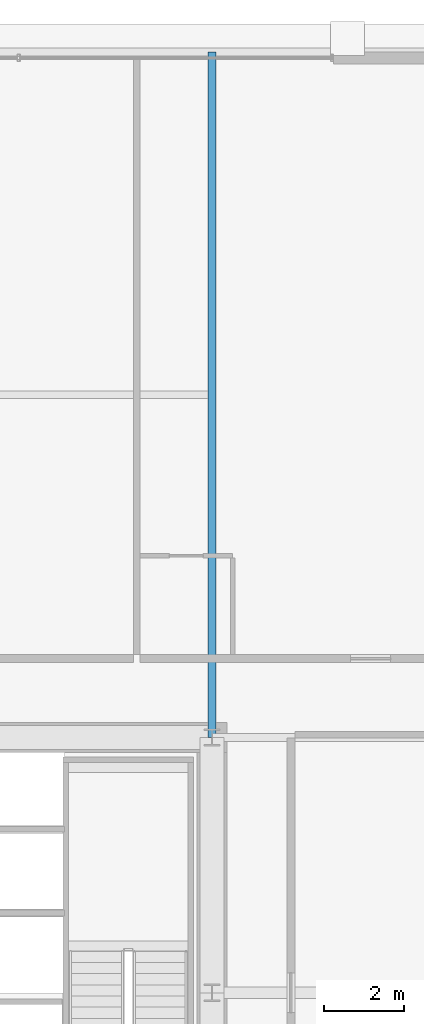
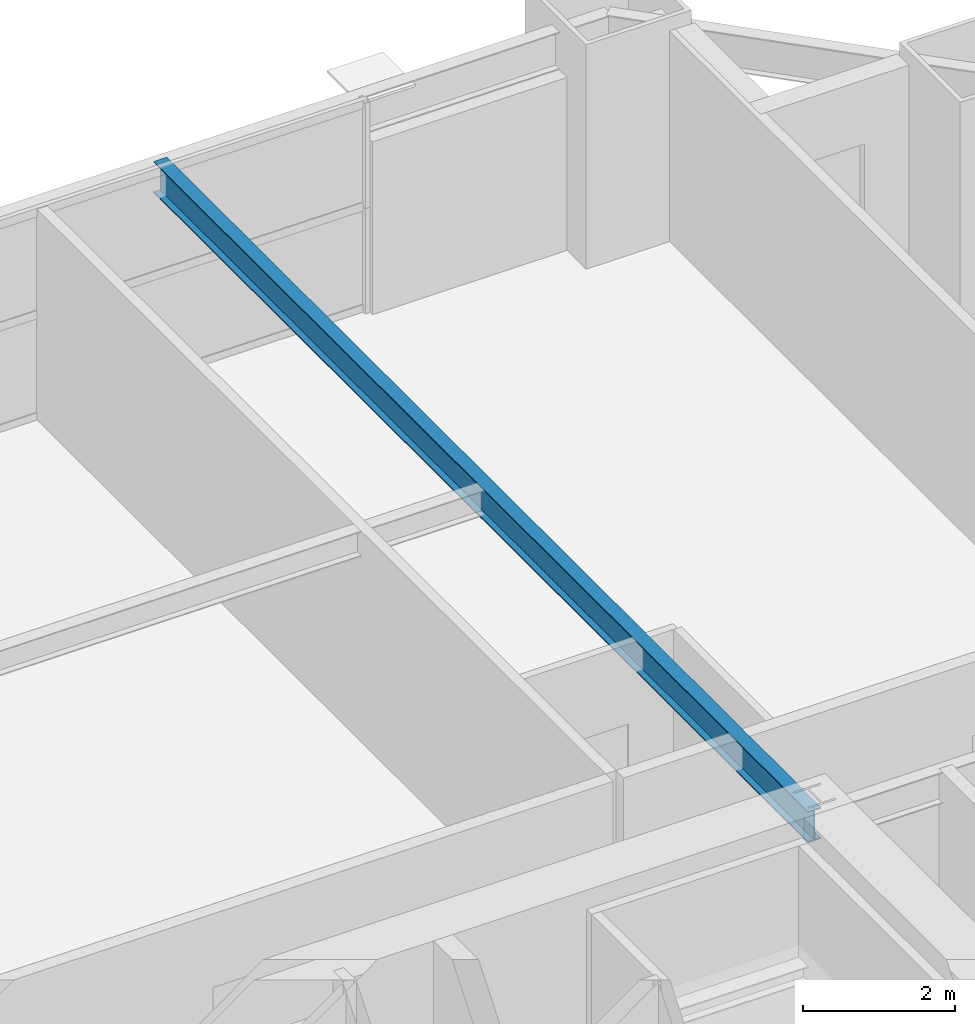
# One storey, part 27 of 37: 1 beam.
"""IFC4 building model written with IfcOpenShell, lengths in metres."""

from ifc_helpers import new_model, si_unit, direction, frame, origin, origin_2d, place, context, subcontext, project, spatial, i_section, extrude, source, transform, mapped, material, material_profile, profile_set, type_object, element, save


model = new_model("IFC4")

# Units and contexts
model_context = context("Model", 3, precision=1e-05, world=origin(), true_north=direction((0.0, 1.0)))
body_context = subcontext(model_context, "Body", "Model", "MODEL_VIEW")
ifc_project = project(units=[si_unit("LENGTHUNIT", "METRE"), si_unit("AREAUNIT", "SQUARE_METRE"), si_unit("VOLUMEUNIT", "CUBIC_METRE"), si_unit("PLANEANGLEUNIT", "RADIAN"), si_unit("MASSUNIT", "GRAM", prefix="KILO"), si_unit("THERMODYNAMICTEMPERATUREUNIT", "KELVIN"), si_unit("POWERUNIT", "WATT")], contexts=[model_context])

# Site, building, storey
site_placement = place(None, origin())
site = spatial("IfcSite", under=ifc_project, at=site_placement, CompositionType="ELEMENT")
building_placement = place(site_placement, origin())
building = spatial("IfcBuilding", under=site, at=building_placement, Name="Yuzanri Waterfront Tower", CompositionType="ELEMENT")
storey_placement = place(building_placement, frame((0.0, 0.0, 104.60009765625)))
storey = spatial("IfcBuildingStorey", under=building, at=storey_placement, Name="L27", CompositionType="ELEMENT", Elevation=104.60009765625)

# Beam
ifc_material = material(Name="Steel Q355B", Category="steel")
ifc_material_profile = material_profile(ifc_material, i_section(OverallWidth=0.199951171875, OverallDepth=0.5, WebThickness=0.010009765625, FlangeThickness=0.01611328125, at=origin_2d()), Name="HN 500x200x10x16")
ifc_profile_set = profile_set([ifc_material_profile], Name="Steel Q355B")
beam_type = type_object("IfcBeamType", Name="Secondary Floor Beam Q355B HN 500x200", PredefinedType="BEAM", material=ifc_profile_set)
shared_shape = source(origin(), body_context, "Body", "SweptSolid", [
    extrude(i_section(OverallWidth=0.199951171875, OverallDepth=0.5, WebThickness=0.010009765625, FlangeThickness=0.01611328125, at=origin_2d()), origin(), (0.0, 0.0, 1.0), 17.199951171875),
])
beam_placement = place(storey_placement, frame((50.199951171875, 32.199951171875, 3.1298828125), z_axis=(0.0, 1.0, 0.0), x_axis=(-1.0, 0.0, 0.0)))
element("IfcBeam", 1, at=beam_placement, inside=storey, type_object=beam_type, Name="L27 North-East Core Line Beam", PredefinedType="BEAM", context=body_context, shape_type="MappedRepresentation", body=[
    mapped(shared_shape, transform((0.0, 0.0, 0.0), scale=1.0)),
])

save(model, "model.ifc")
